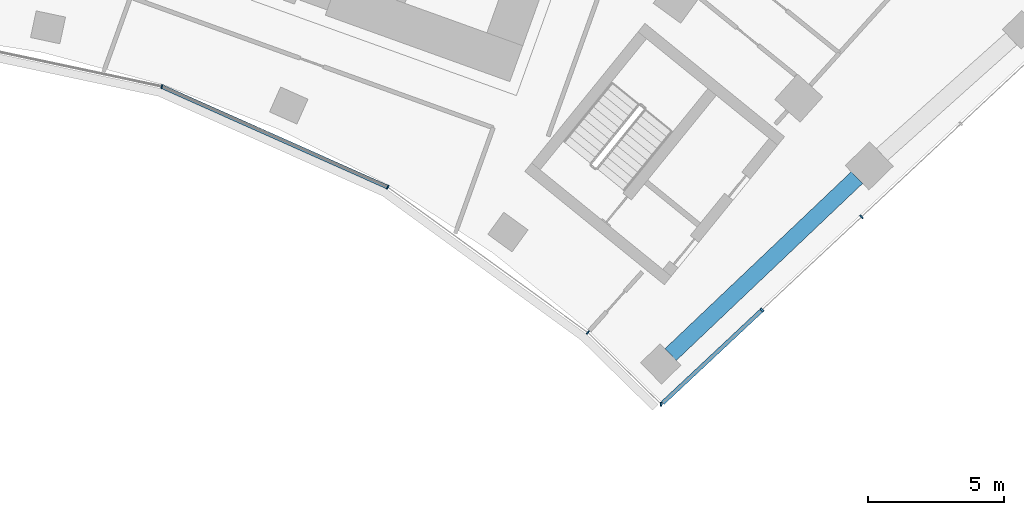
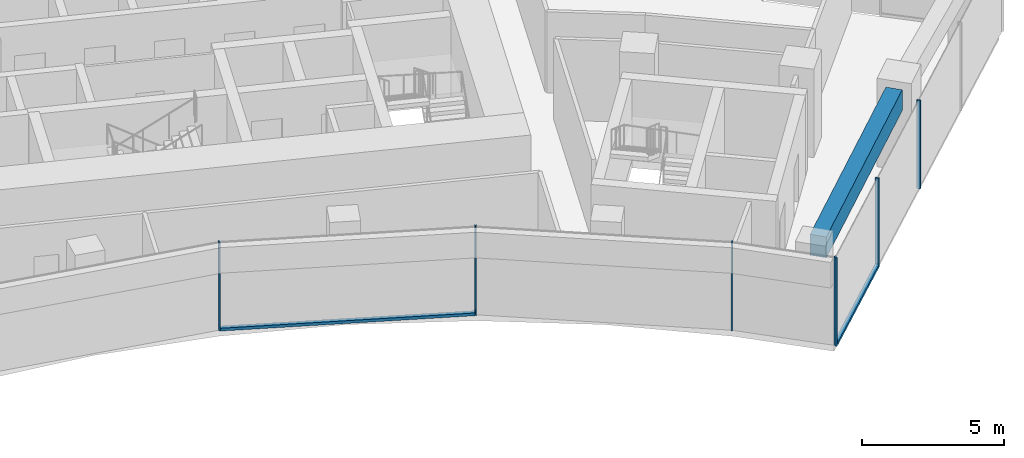
# One storey, part 8 of 20: 8 members, 1 beam, 2 elements without a shape of their own.
"""IFC4 building model written with IfcOpenShell, lengths in metres."""

from ifc_helpers import new_model, si_unit, direction, frame, origin, origin_2d, place, context, subcontext, project, spatial, rectangle, extrude, material, layer, layer_set, material_profile, profile_set, type_object, element, aggregate, save


model = new_model("IFC4")

# Units and contexts
model_context = context("Model", 3, precision=1e-05, world=origin(), true_north=direction((0.0, 1.0)))
body_context = subcontext(model_context, "Body", "Model", "MODEL_VIEW")
ifc_project = project(units=[si_unit("LENGTHUNIT", "METRE"), si_unit("AREAUNIT", "SQUARE_METRE"), si_unit("VOLUMEUNIT", "CUBIC_METRE"), si_unit("PLANEANGLEUNIT", "RADIAN"), si_unit("MASSUNIT", "GRAM", prefix="KILO")], contexts=[model_context])

# Site, building, storey
site_placement = place(None, origin())
site = spatial("IfcSite", under=ifc_project, at=site_placement, CompositionType="ELEMENT")
building_placement = place(site_placement, origin())
building = spatial("IfcBuilding", under=site, at=building_placement, Name="Stone Belt Terrace Tower", CompositionType="ELEMENT")
storey_placement = place(building_placement, frame((0.0, 0.0, 185.800048828125)))
storey = spatial("IfcBuildingStorey", under=building, at=storey_placement, Name="L45", CompositionType="ELEMENT", Elevation=185.800048828125)

# Curtain wall, members
ifc_material_1 = material(Name="Aluminium 6063-T6 anodised frame", Category="aluminium")
ifc_layer_1 = layer(ifc_material_1, 0.14990234375)
ifc_layer_set_1 = layer_set([ifc_layer_1], Name="CW-B unitised concave-face curtain wall")
curtain_wall_type_1 = type_object("IfcCurtainWallType", Name="CW-B unitised concave-face curtain wall", PredefinedType="NOTDEFINED", material=ifc_layer_set_1)
curtain_wall_1_placement = place(storey_placement, origin())
curtain_wall_1 = element("IfcCurtainWall", 1, at=curtain_wall_1_placement, inside=storey, type_object=curtain_wall_type_1, Name="CW-B concave face L45", PredefinedType="NOTDEFINED")
ifc_material_profile_1 = material_profile(ifc_material_1, rectangle(XDim=0.14990234375, YDim=0.050048828125, at=origin_2d()), Name="Aluminium 6063-T6 50x150")
ifc_profile_set_1 = profile_set([ifc_material_profile_1], Name="Aluminium 6063-T6 anodised frame")
member_type_1 = type_object("IfcMemberType", Name="CW-B mullion 50 x 150", PredefinedType="MULLION", material=ifc_profile_set_1)
member_1_placement = place(storey_placement, frame((13.4189453125, 41.29931640625, 0.0), z_axis=(0.0, 0.0, 1.0), x_axis=(0.309016994375, 0.951056516295, 0.0)))
member_1 = element("IfcMember", 2, at=member_1_placement, type_object=member_type_1, Name="CW-B mullion 7", PredefinedType="MULLION", context=body_context, shape_type="SweptSolid", body=[
    extrude(rectangle(XDim=0.14990234375, YDim=0.050048828125, at=origin_2d()), origin(), (0.0, 0.0, 1.0), 3.800048828125),
])
member_2_placement = place(storey_placement, frame((21.71240234375, 37.606689453125, 0.0), z_axis=(0.0, 0.0, 1.0), x_axis=(0.5, 0.866025403784, 0.0)))
member_2 = element("IfcMember", 3, at=member_2_placement, type_object=member_type_1, Name="CW-B mullion 8", PredefinedType="MULLION", context=body_context, shape_type="SweptSolid", body=[
    extrude(rectangle(XDim=0.14990234375, YDim=0.050048828125, at=origin_2d()), origin(), (0.0, 0.0, 1.0), 3.800048828125),
])
member_3_placement = place(storey_placement, frame((29.05859375, 32.269287109375, 0.0), z_axis=(0.0, 0.0, 1.0), x_axis=(0.645718816337, 0.763575281311, 0.0)))
member_3 = element("IfcMember", 4, at=member_3_placement, type_object=member_type_1, Name="CW-B mullion 9", PredefinedType="MULLION", context=body_context, shape_type="SweptSolid", body=[
    extrude(rectangle(XDim=0.14990234375, YDim=0.050048828125, at=origin_2d()), origin(), (0.0, 0.0, 1.0), 3.800048828125),
])
ifc_material_profile_2 = material_profile(ifc_material_1, rectangle(XDim=0.14990234375, YDim=0.1201171875, at=origin_2d()), Name="Aluminium 6063-T6 150x120")
ifc_profile_set_2 = profile_set([ifc_material_profile_2], Name="Aluminium 6063-T6 anodised frame")
member_type_2 = type_object("IfcMemberType", Name="CW-B transom 120 x 150", PredefinedType="USERDEFINED", material=ifc_profile_set_2)
member_4_placement = place(storey_placement, frame((13.44873046875, 41.285888671875, 0.06005859375), z_axis=(0.913548853737, -0.406729015237, 0.0), x_axis=(0.406729015237, 0.913548853737, 0.0)))
member_4 = element("IfcMember", 5, at=member_4_placement, type_object=member_type_2, Name="CW-B transom 7.1", ObjectType="TRANSOM", PredefinedType="USERDEFINED", context=body_context, shape_type="SweptSolid", body=[
    extrude(rectangle(XDim=0.14990234375, YDim=0.1201171875, at=origin_2d()), origin(), (0.0, 0.0, 1.0), 9.0126953125),
])
aggregate(curtain_wall_1, [member_1, member_2, member_3, member_4])

ifc_layer_2 = layer(ifc_material_1, 0.14990234375)
ifc_layer_set_2 = layer_set([ifc_layer_2], Name="CW-C stick curtain wall, horn ends and notches")
curtain_wall_type_2 = type_object("IfcCurtainWallType", Name="CW-C stick curtain wall, horn ends and notches", PredefinedType="NOTDEFINED", material=ifc_layer_set_2)
curtain_wall_2_placement = place(storey_placement, origin())
curtain_wall_2 = element("IfcCurtainWall", 6, at=curtain_wall_2_placement, inside=storey, type_object=curtain_wall_type_2, Name="CW-C end face L45", PredefinedType="NOTDEFINED")
ifc_material_profile_3 = material_profile(ifc_material_1, rectangle(XDim=0.14990234375, YDim=0.06005859375, at=origin_2d()), Name="Aluminium 6063-T6 60x150")
ifc_profile_set_3 = profile_set([ifc_material_profile_3], Name="Aluminium 6063-T6 anodised frame")
member_type_3 = type_object("IfcMemberType", Name="CW-C mullion 60 x 150", PredefinedType="MULLION", material=ifc_profile_set_3)
member_5_placement = place(storey_placement, frame((31.749755859375, 29.630615234375, 0.0), z_axis=(0.0, 0.0, 1.0), x_axis=(0.011497518366, 0.999933901351, 0.0)))
member_5 = element("IfcMember", 7, at=member_5_placement, type_object=member_type_3, Name="CW-C mullion 1", PredefinedType="MULLION", context=body_context, shape_type="SweptSolid", body=[
    extrude(rectangle(XDim=0.14990234375, YDim=0.06005859375, at=origin_2d()), origin(), (0.0, 0.0, 1.0), 3.800048828125),
])
member_6_placement = place(storey_placement, frame((35.45166015625, 33.097412109375, 0.0), z_axis=(0.0, 0.0, 1.0), x_axis=(-0.683549434973, 0.729904219708, 0.0)))
member_6 = element("IfcMember", 8, at=member_6_placement, type_object=member_type_3, Name="CW-C mullion 2", PredefinedType="MULLION", context=body_context, shape_type="SweptSolid", body=[
    extrude(rectangle(XDim=0.14990234375, YDim=0.06005859375, at=origin_2d()), origin(), (0.0, 0.0, 1.0), 3.800048828125),
])
member_7_placement = place(storey_placement, frame((39.10107421875, 36.51513671875, 0.0), z_axis=(0.0, 0.0, 1.0), x_axis=(-0.683549434973, 0.729904219708, 0.0)))
member_7 = element("IfcMember", 9, at=member_7_placement, type_object=member_type_3, Name="CW-C mullion 3", PredefinedType="MULLION", context=body_context, shape_type="SweptSolid", body=[
    extrude(rectangle(XDim=0.14990234375, YDim=0.06005859375, at=origin_2d()), origin(), (0.0, 0.0, 1.0), 3.800048828125),
])
ifc_material_profile_4 = material_profile(ifc_material_1, rectangle(XDim=0.14990234375, YDim=0.1201171875, at=origin_2d()), Name="Aluminium 6063-T6 150x120")
ifc_profile_set_4 = profile_set([ifc_material_profile_4], Name="Aluminium 6063-T6 anodised frame")
member_type_4 = type_object("IfcMemberType", Name="CW-C transom 120 x 150", PredefinedType="USERDEFINED", material=ifc_profile_set_4)
member_8_placement = place(storey_placement, frame((31.80322265625, 29.680908203125, 0.06005859375), z_axis=(0.729920194982, 0.683532375939, 0.0), x_axis=(-0.683532375939, 0.729920194982, 0.0)))
member_8 = element("IfcMember", 10, at=member_8_placement, type_object=member_type_4, Name="CW-C transom 1.1", ObjectType="TRANSOM", PredefinedType="USERDEFINED", context=body_context, shape_type="SweptSolid", body=[
    extrude(rectangle(XDim=0.14990234375, YDim=0.1201171875, at=origin_2d()), origin(), (0.0, 0.0, 1.0), 4.96826171875),
])
aggregate(curtain_wall_2, [member_5, member_6, member_7, member_8])

# Beam
ifc_material_2 = material(Name="Concrete B60", Category="concrete")
ifc_material_profile_5 = material_profile(ifc_material_2, rectangle(XDim=0.60009765625, YDim=0.89990234375, at=origin_2d()), Name="RC 600x900")
ifc_profile_set_5 = profile_set([ifc_material_profile_5], Name="Concrete B60")
beam_type = type_object("IfcBeamType", Name="Edge beam RC 600x900 B60", PredefinedType="SPANDREL", material=ifc_profile_set_5)
beam_placement = place(storey_placement, frame((32.097412109375, 31.461181640625, 3.030029296875), z_axis=(0.725033041143, 0.688714083819, 0.0), x_axis=(-0.688714083819, 0.725033041143, 0.0)))
element("IfcBeam", 11, at=beam_placement, inside=storey, type_object=beam_type, Name="Edge beam L45 B P to Q", PredefinedType="SPANDREL", context=body_context, shape_type="SweptSolid", body=[
    extrude(rectangle(XDim=0.60009765625, YDim=0.89990234375, at=origin_2d()), origin(), (0.0, 0.0, 1.0), 9.43115234375),
])

save(model, "model.ifc")
